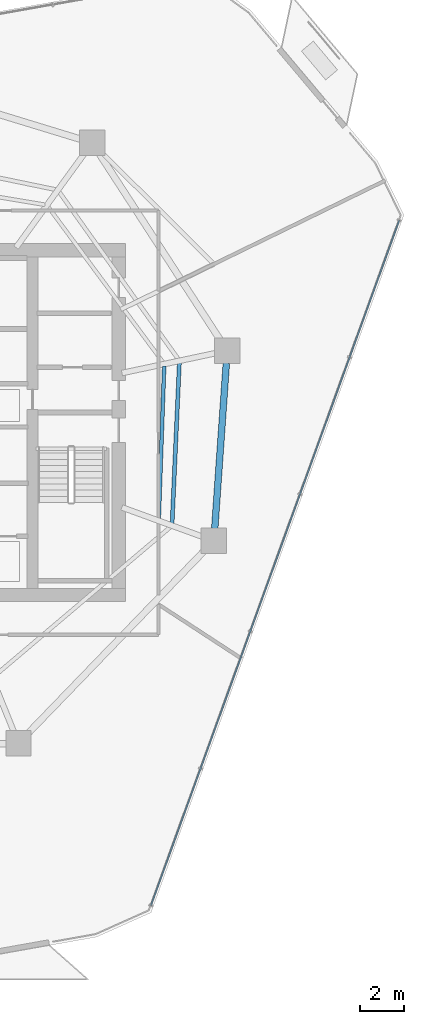
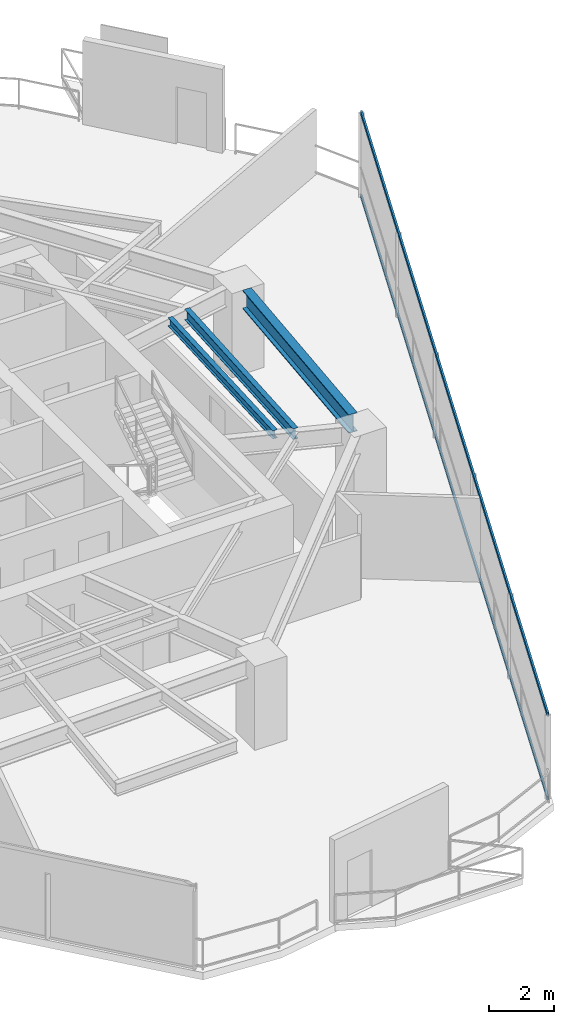
# One storey, part 13 of 27: 3 beams, 2 members, 1 element without a shape of its own.
"""IFC4 building model written with IfcOpenShell, lengths in metres."""

from ifc_helpers import new_model, si_unit, direction, frame, origin, origin_2d, place, context, subcontext, project, spatial, hollow_rectangle, i_section, extrude, material, layer, layer_set, material_profile, profile_set, type_object, element, aggregate, save


model = new_model("IFC4")

# Units and contexts
model_context = context("Model", 3, precision=1e-05, world=origin(), true_north=direction((0.0, 1.0)))
body_context = subcontext(model_context, "Body", "Model", "MODEL_VIEW")
ifc_project = project(units=[si_unit("LENGTHUNIT", "METRE"), si_unit("AREAUNIT", "SQUARE_METRE"), si_unit("VOLUMEUNIT", "CUBIC_METRE"), si_unit("PLANEANGLEUNIT", "RADIAN"), si_unit("MASSUNIT", "GRAM", prefix="KILO")], contexts=[model_context])

# Site, building, storey
site_placement = place(None, origin())
site = spatial("IfcSite", under=ifc_project, at=site_placement, CompositionType="ELEMENT")
building_placement = place(site_placement, origin())
building = spatial("IfcBuilding", under=site, at=building_placement, Name="Qarnah Convention Tower", CompositionType="ELEMENT")
storey_placement = place(building_placement, frame((0.0, 0.0, 103.949951171875)))
storey = spatial("IfcBuildingStorey", under=building, at=storey_placement, Name="L27", CompositionType="ELEMENT", Elevation=103.949951171875)

# Beams
ifc_material_1 = material(Name="Structural steel S355JR", Category="steel")
ifc_material_profile_1 = material_profile(ifc_material_1, i_section(OverallWidth=0.166015625, OverallDepth=0.31201171875, WebThickness=0.007080078125, FlangeThickness=0.010986328125, at=origin_2d()), Name="W310X45")
ifc_profile_set_1 = profile_set([ifc_material_profile_1], Name="Structural steel S355JR")
beam_type_1 = type_object("IfcBeamType", Name="BM-JST-W310", PredefinedType="JOIST", material=ifc_profile_set_1)
beam_1_placement = place(storey_placement, frame((49.412109375, 22.0458984375, 3.01416015625), z_axis=(0.035540465312, 0.999368238101, 0.0), x_axis=(-0.999368238101, 0.035540465312, 0.0)))
element("IfcBeam", 1, at=beam_1_placement, inside=storey, type_object=beam_type_1, Name="L27 joist BM-L27-IJST-09", PredefinedType="JOIST", context=body_context, shape_type="SweptSolid", body=[
    extrude(i_section(OverallWidth=0.166015625, OverallDepth=0.31201171875, WebThickness=0.007080078125, FlangeThickness=0.010986328125, at=origin_2d()), origin(), (0.0, 0.0, 1.0), 6.91748046875),
])
ifc_material_profile_2 = material_profile(ifc_material_1, i_section(OverallWidth=0.177978515625, OverallDepth=0.407958984375, WebThickness=0.008056640625, FlangeThickness=0.012939453125, at=origin_2d()), Name="W410X60")
ifc_profile_set_2 = profile_set([ifc_material_profile_2], Name="Structural steel S355JR")
beam_type_2 = type_object("IfcBeamType", Name="BM-JST-W410", PredefinedType="JOIST", material=ifc_profile_set_2)
beam_2_placement = place(storey_placement, frame((50.014892578125, 21.825927734375, 2.966064453125), z_axis=(0.045166002341, 0.998979495401, 0.0), x_axis=(-0.998979495401, 0.045166002341, 0.0)))
element("IfcBeam", 2, at=beam_2_placement, inside=storey, type_object=beam_type_2, Name="L27 joist BM-L27-SJST-09", PredefinedType="JOIST", context=body_context, shape_type="SweptSolid", body=[
    extrude(i_section(OverallWidth=0.177978515625, OverallDepth=0.407958984375, WebThickness=0.008056640625, FlangeThickness=0.012939453125, at=origin_2d()), origin(), (0.0, 0.0, 1.0), 7.286376953125),
])
ifc_material_profile_3 = material_profile(ifc_material_1, i_section(OverallWidth=0.300048828125, OverallDepth=0.699951171875, WebThickness=0.01708984375, FlangeThickness=0.031982421875, at=origin_2d()), Name="HEB700")
ifc_profile_set_3 = profile_set([ifc_material_profile_3], Name="Structural steel S355JR")
beam_type_3 = type_object("IfcBeamType", Name="BM-RING-HEB700", PredefinedType="BEAM", material=ifc_profile_set_3)
beam_3_placement = place(storey_placement, frame((51.945068359375, 21.611083984375, 2.820068359375), z_axis=(0.069881623509, 0.997555291047, 0.0), x_axis=(-0.997555291047, 0.069881623509, 0.0)))
element("IfcBeam", 3, at=beam_3_placement, inside=storey, type_object=beam_type_3, Name="L27 beam BM-L27-SPN-09", PredefinedType="BEAM", context=body_context, shape_type="SweptSolid", body=[
    extrude(i_section(OverallWidth=0.300048828125, OverallDepth=0.699951171875, WebThickness=0.01708984375, FlangeThickness=0.031982421875, at=origin_2d()), origin(), (0.0, 0.0, 1.0), 7.497314453125),
])

# Curtain wall, members
ifc_material_2 = material(Name="Tempered Low-E dark glass", Category="glass")
ifc_layer = layer(ifc_material_2, 0.169921875)
ifc_layer_set = layer_set([ifc_layer], Name="Tempered Low-E dark glass")
curtain_wall_type = type_object("IfcCurtainWallType", Name="CWS-02", PredefinedType="NOTDEFINED", material=ifc_layer_set)
curtain_wall_placement = place(storey_placement, origin())
curtain_wall = element("IfcCurtainWall", 4, at=curtain_wall_placement, inside=storey, type_object=curtain_wall_type, Name="L27 unitised curtain wall CW-L27-F2", PredefinedType="NOTDEFINED")
ifc_material_3 = material(Name="Black anodised aluminium", Category="aluminium")
ifc_material_profile_4 = material_profile(ifc_material_3, hollow_rectangle(XDim=0.06494140625, YDim=0.14990234375, WallThickness=0.00390625, at=origin_2d()), Name="TRN-65X150")
ifc_profile_set_4 = profile_set([ifc_material_profile_4], Name="Black anodised aluminium")
member_type = type_object("IfcMemberType", Name="TRN-T2", PredefinedType="USERDEFINED", material=ifc_profile_set_4)
member_1_placement = place(storey_placement, frame((60.2939453125, 35.553955078125, 0.0), z_axis=(-0.340709279039, -0.940168701445, 0.0), x_axis=(0.940168701445, -0.340709279039, 0.0)))
member_1 = element("IfcMember", 5, at=member_1_placement, type_object=member_type, Name="CW-L27-F2 transom 1", ObjectType="TRANSOM", PredefinedType="USERDEFINED", context=body_context, shape_type="SweptSolid", body=[
    extrude(hollow_rectangle(XDim=0.06494140625, YDim=0.14990234375, WallThickness=0.00390625, at=origin_2d()), origin(), (0.0, 0.0, 1.0), 32.9814453125),
])
member_2_placement = place(storey_placement, frame((60.2939453125, 35.553955078125, 3.170166015625), z_axis=(-0.340709279039, -0.940168701445, 0.0), x_axis=(0.940168701445, -0.340709279039, 0.0)))
member_2 = element("IfcMember", 6, at=member_2_placement, type_object=member_type, Name="CW-L27-F2 transom 2", ObjectType="TRANSOM", PredefinedType="USERDEFINED", context=body_context, shape_type="SweptSolid", body=[
    extrude(hollow_rectangle(XDim=0.06494140625, YDim=0.14990234375, WallThickness=0.00390625, at=origin_2d()), origin(), (0.0, 0.0, 1.0), 32.9814453125),
])
aggregate(curtain_wall, [member_1, member_2])

save(model, "model.ifc")
